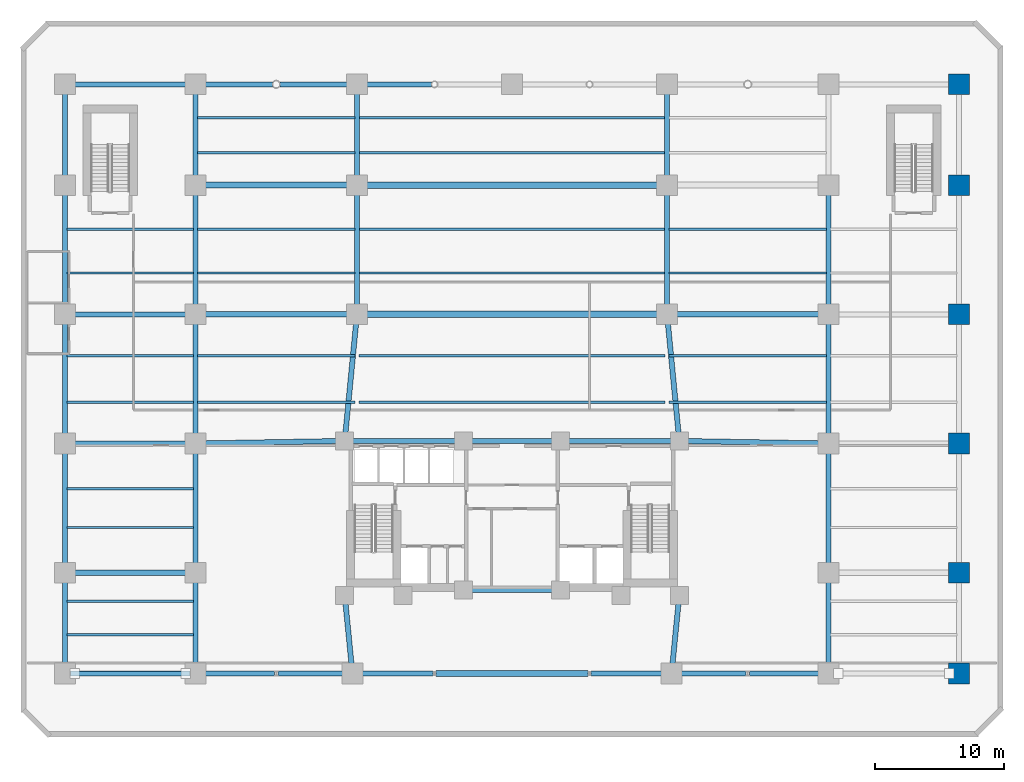
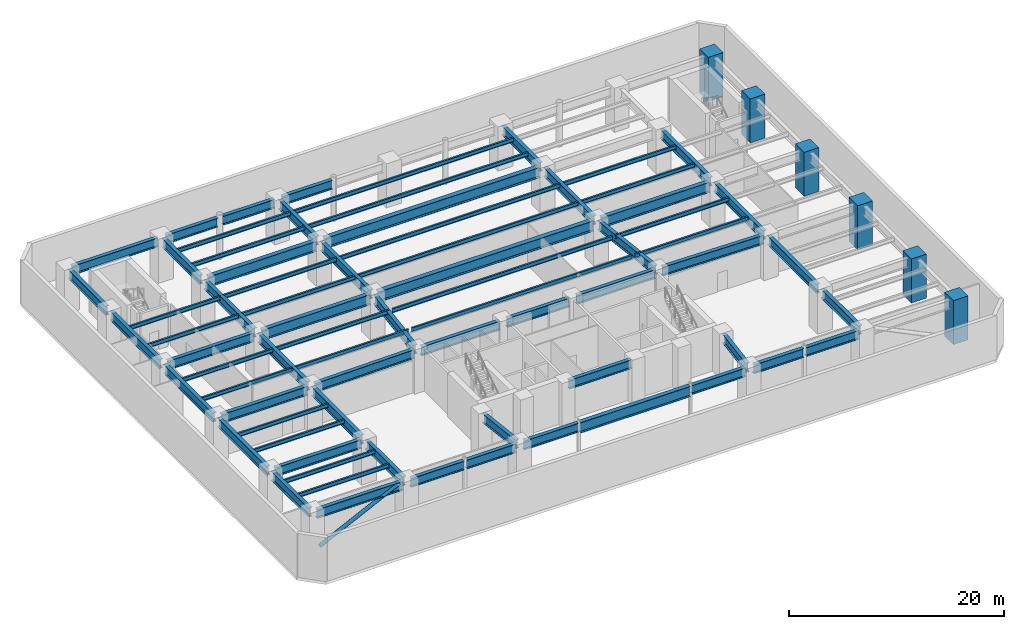
# One storey, part 4 of 12: 72 beams, 6 columns, 1 member.
"""IFC4 building model written with IfcOpenShell, lengths in metres."""

from ifc_helpers import new_model, si_unit, direction, frame, origin, origin_2d, place, context, subcontext, project, spatial, rectangle, hollow_circle, i_section, extrude, material, material_profile, profile_set, type_object, element, save


model = new_model("IFC4")

# Units and contexts
model_context = context("Model", 3, precision=1e-05, world=origin(), true_north=direction((0.0, 1.0)))
body_context = subcontext(model_context, "Body", "Model", "MODEL_VIEW")
ifc_project = project(units=[si_unit("LENGTHUNIT", "METRE"), si_unit("AREAUNIT", "SQUARE_METRE"), si_unit("VOLUMEUNIT", "CUBIC_METRE"), si_unit("PLANEANGLEUNIT", "RADIAN"), si_unit("MASSUNIT", "GRAM", prefix="KILO")], contexts=[model_context])

# Site, building, storey
site_placement = place(None, origin())
site = spatial("IfcSite", under=ifc_project, at=site_placement, CompositionType="ELEMENT")
building_placement = place(site_placement, origin())
building = spatial("IfcBuilding", under=site, at=building_placement, Name="Quenlor Broadcast Tower", CompositionType="ELEMENT")
storey_placement = place(building_placement, frame((0.0, 0.0, -5.0)))
storey = spatial("IfcBuildingStorey", under=building, at=storey_placement, Name="B01", CompositionType="ELEMENT", Elevation=-5.0)

# Columns
ifc_material_1 = material(Name="Concrete C65/80", Category="concrete")
ifc_material_profile_1 = material_profile(ifc_material_1, rectangle(XDim=1.60009765625, YDim=1.60009765625, at=origin_2d()))
ifc_profile_set_1 = profile_set([ifc_material_profile_1], Name="Concrete C65/80 RC1600x1600")
column_type = type_object("IfcColumnType", Name="Podium Mega Column Concrete C65/80 1600", PredefinedType="COLUMN", material=ifc_profile_set_1)
for number, where, z_axis, x_axis, name in (
    (1, (34.60009765625, -22.800048828125, 0.0), (0.0, 0.0, 1.0), (1.0, 0.0, 0.0), "B01 Podium Mega Column PM6"),
    (2, (34.60009765625, -15.0, 0.0), (0.0, 0.0, 1.0), (1.0, 0.0, 0.0), "B01 Podium Mega Column PM10"),
    (3, (34.60009765625, -5.0, 0.0), (0.0, 0.0, 1.0), (1.0, 0.0, 0.0), "B01 Podium Mega Column PM14"),
    (4, (34.60009765625, 5.0, 0.0), (0.0, 0.0, 1.0), (1.0, 0.0, 0.0), "B01 Podium Mega Column PM20"),
    (5, (34.60009765625, 15.0, 0.0), (0.0, 0.0, 1.0), (1.0, 0.0, 0.0), "B01 Podium Mega Column PM26"),
    (6, (34.60009765625, 22.800048828125, 0.0), (0.0, 0.0, 1.0), (1.0, 0.0, 0.0), "B01 Podium Mega Column PM33"),
):
    element("IfcColumn", number, at=place(storey_placement, frame(where, z_axis=z_axis, x_axis=x_axis)), inside=storey, type_object=column_type, Name=name, PredefinedType="COLUMN", context=body_context, shape_type="SweptSolid", body=[
        extrude(rectangle(XDim=1.60009765625, YDim=1.60009765625, at=origin_2d()), origin(), (0.0, 0.0, 1.0), 5.0),
    ])

# Member
ifc_material_2 = material(Name="Steel S355", Category="steel")
ifc_material_profile_2 = material_profile(ifc_material_2, hollow_circle(Radius=0.203125, WallThickness=0.01611328125, at=origin_2d()))
ifc_profile_set_2 = profile_set([ifc_material_profile_2], Name="Steel S355 CHS406x16")
member_type = type_object("IfcMemberType", Name="Basement Lateral Brace Steel S355 CHS406", PredefinedType="BRACE", material=ifc_profile_set_2)
member_placement = place(storey_placement, frame((-33.840087890625, -22.800048828125, 0.35009765625), z_axis=(0.899406983331, 0.0, 0.437112203371), x_axis=(0.0, 1.0, 0.0)))
element("IfcMember", 7, at=member_placement, inside=storey, type_object=member_type, Name="B01 Basement Lateral Brace PM1", PredefinedType="BRACE", context=body_context, shape_type="SweptSolid", body=[
    extrude(hollow_circle(Radius=0.203125, WallThickness=0.01611328125, at=origin_2d()), origin(), (0.0, 0.0, 1.0), 9.539794921875),
])

# Beams
ifc_material_3 = material(Name="Steel S355", Category="steel")
ifc_material_profile_3 = material_profile(ifc_material_3, i_section(OverallWidth=0.39990234375, OverallDepth=1.02392578125, WebThickness=0.01611328125, FlangeThickness=0.031982421875, FilletRadius=0.01611328125, at=origin_2d()))
ifc_profile_set_3 = profile_set([ifc_material_profile_3], Name="Steel S355 1000WB322")
beam_type_1 = type_object("IfcBeamType", Name="Podium Concourse Girder Steel S355 1000WB322", PredefinedType="BEAM", material=ifc_profile_set_3)
beam_1_placement = place(storey_placement, frame((-34.179931640625, -22.800048828125, 4.18798828125), z_axis=(1.0, 0.0, 0.0), x_axis=(0.0, 1.0, 0.0)))
element("IfcBeam", 8, at=beam_1_placement, inside=storey, type_object=beam_type_1, Name="B01 Podium Girder 1", PredefinedType="BEAM", context=body_context, shape_type="SweptSolid", body=[
    extrude(i_section(OverallWidth=0.39990234375, OverallDepth=1.02392578125, WebThickness=0.01611328125, FlangeThickness=0.031982421875, FilletRadius=0.01611328125, at=origin_2d()), origin(), (0.0, 0.0, 1.0), 9.260009765625),
])
beam_2_placement = place(storey_placement, frame((-24.080078125, -22.800048828125, 4.18798828125), z_axis=(1.0, 0.0, 0.0), x_axis=(0.0, 1.0, 0.0)))
element("IfcBeam", 9, at=beam_2_placement, inside=storey, type_object=beam_type_1, Name="B01 Podium Girder 2", PredefinedType="BEAM", context=body_context, shape_type="SweptSolid", body=[
    extrude(i_section(OverallWidth=0.39990234375, OverallDepth=1.02392578125, WebThickness=0.01611328125, FlangeThickness=0.031982421875, FilletRadius=0.01611328125, at=origin_2d()), origin(), (0.0, 0.0, 1.0), 5.694580078125),
])
beam_3_placement = place(storey_placement, frame((-18.114501953125, -22.800048828125, 4.18798828125), z_axis=(1.0, 0.0, 0.0), x_axis=(0.0, 1.0, 0.0)))
element("IfcBeam", 10, at=beam_3_placement, inside=storey, type_object=beam_type_1, Name="B01 Podium Girder 3", PredefinedType="BEAM", context=body_context, shape_type="SweptSolid", body=[
    extrude(i_section(OverallWidth=0.39990234375, OverallDepth=1.02392578125, WebThickness=0.01611328125, FlangeThickness=0.031982421875, FilletRadius=0.01611328125, at=origin_2d()), origin(), (0.0, 0.0, 1.0), 5.344482421875),
])
for number, where, z_axis, x_axis, name in (
    (11, (-11.929931640625, -22.800048828125, 4.18798828125), (1.0, 0.0, 0.0), (0.0, 1.0, 0.0), "B01 Podium Girder 4"),
    (12, (6.10791015625, -22.800048828125, 4.18798828125), (1.0, 0.0, 0.0), (0.0, 1.0, 0.0), "B01 Podium Girder 6"),
):
    element("IfcBeam", number, at=place(storey_placement, frame(where, z_axis=z_axis, x_axis=x_axis)), inside=storey, type_object=beam_type_1, Name=name, PredefinedType="BEAM", context=body_context, shape_type="SweptSolid", body=[
        extrude(i_section(OverallWidth=0.39990234375, OverallDepth=1.02392578125, WebThickness=0.01611328125, FlangeThickness=0.031982421875, FilletRadius=0.01611328125, at=origin_2d()), origin(), (0.0, 0.0, 1.0), 5.822021484375),
    ])
beam_4_placement = place(storey_placement, frame((12.77001953125, -22.800048828125, 4.18798828125), z_axis=(1.0, 0.0, 0.0), x_axis=(0.0, 1.0, 0.0)))
element("IfcBeam", 13, at=beam_4_placement, inside=storey, type_object=beam_type_1, Name="B01 Podium Girder 7", PredefinedType="BEAM", context=body_context, shape_type="SweptSolid", body=[
    extrude(i_section(OverallWidth=0.39990234375, OverallDepth=1.02392578125, WebThickness=0.01611328125, FlangeThickness=0.031982421875, FilletRadius=0.01611328125, at=origin_2d()), origin(), (0.0, 0.0, 1.0), 5.345458984375),
])
beam_5_placement = place(storey_placement, frame((18.384521484375, -22.800048828125, 4.18798828125), z_axis=(1.0, 0.0, 0.0), x_axis=(0.0, 1.0, 0.0)))
element("IfcBeam", 14, at=beam_5_placement, inside=storey, type_object=beam_type_1, Name="B01 Podium Girder 8", PredefinedType="BEAM", context=body_context, shape_type="SweptSolid", body=[
    extrude(i_section(OverallWidth=0.39990234375, OverallDepth=1.02392578125, WebThickness=0.01611328125, FlangeThickness=0.031982421875, FilletRadius=0.01611328125, at=origin_2d()), origin(), (0.0, 0.0, 1.0), 5.695556640625),
])
for number, where, z_axis, x_axis, name in (
    (15, (-34.179931640625, -15.0, 4.18798828125), (1.0, 0.0, 0.0), (0.0, 1.0, 0.0), "B01 Podium Girder 10"),
    (16, (-34.179931640625, -5.0, 4.18798828125), (1.0, 0.0, 0.0), (0.0, 1.0, 0.0), "B01 Podium Girder 12"),
    (17, (-34.179931640625, 5.0, 4.18798828125), (1.0, 0.0, 0.0), (0.0, 1.0, 0.0), "B01 Podium Girder 14"),
    (18, (-34.179931640625, 22.800048828125, 4.18798828125), (1.0, 0.0, 0.0), (0.0, 1.0, 0.0), "B01 Podium Girder 24"),
):
    element("IfcBeam", number, at=place(storey_placement, frame(where, z_axis=z_axis, x_axis=x_axis)), inside=storey, type_object=beam_type_1, Name=name, PredefinedType="BEAM", context=body_context, shape_type="SweptSolid", body=[
        extrude(i_section(OverallWidth=0.39990234375, OverallDepth=1.02392578125, WebThickness=0.01611328125, FlangeThickness=0.031982421875, FilletRadius=0.01611328125, at=origin_2d()), origin(), (0.0, 0.0, 1.0), 9.260009765625),
    ])
for number, where, z_axis, x_axis, name in (
    (19, (-24.080078125, 22.800048828125, 4.18798828125), (1.0, 0.0, 0.0), (0.0, 1.0, 0.0), "B01 Podium Girder 25"),
    (20, (-17.965087890625, 22.800048828125, 4.18798828125), (1.0, 0.0, 0.0), (0.0, 1.0, 0.0), "B01 Podium Girder 26"),
):
    element("IfcBeam", number, at=place(storey_placement, frame(where, z_axis=z_axis, x_axis=x_axis)), inside=storey, type_object=beam_type_1, Name=name, PredefinedType="BEAM", context=body_context, shape_type="SweptSolid", body=[
        extrude(i_section(OverallWidth=0.39990234375, OverallDepth=1.02392578125, WebThickness=0.01611328125, FlangeThickness=0.031982421875, FilletRadius=0.01611328125, at=origin_2d()), origin(), (0.0, 0.0, 1.0), 5.545166015625),
    ])
beam_6_placement = place(storey_placement, frame((-11.580078125, 22.800048828125, 4.18798828125), z_axis=(1.0, 0.0, 0.0), x_axis=(0.0, 1.0, 0.0)))
element("IfcBeam", 21, at=beam_6_placement, inside=storey, type_object=beam_type_1, Name="B01 Podium Girder 27", PredefinedType="BEAM", context=body_context, shape_type="SweptSolid", body=[
    extrude(i_section(OverallWidth=0.39990234375, OverallDepth=1.02392578125, WebThickness=0.01611328125, FlangeThickness=0.031982421875, FilletRadius=0.01611328125, at=origin_2d()), origin(), (0.0, 0.0, 1.0), 5.34619140625),
])
beam_7_placement = place(storey_placement, frame((-34.60009765625, -22.3798828125, 4.18798828125), z_axis=(0.0, 1.0, 0.0), x_axis=(-1.0, 0.0, 0.0)))
element("IfcBeam", 22, at=beam_7_placement, inside=storey, type_object=beam_type_1, Name="B01 Podium Girder 34", PredefinedType="BEAM", context=body_context, shape_type="SweptSolid", body=[
    extrude(i_section(OverallWidth=0.39990234375, OverallDepth=1.02392578125, WebThickness=0.01611328125, FlangeThickness=0.031982421875, FilletRadius=0.01611328125, at=origin_2d()), origin(), (0.0, 0.0, 1.0), 6.9599609375),
])
for number, where, z_axis, x_axis, name in (
    (23, (-34.60009765625, -14.580078125, 4.18798828125), (0.0, 1.0, 0.0), (-1.0, 0.0, 0.0), "B01 Podium Girder 35"),
    (24, (-34.60009765625, -4.580078125, 4.18798828125), (0.0, 1.0, 0.0), (-1.0, 0.0, 0.0), "B01 Podium Girder 36"),
    (25, (-34.60009765625, 5.419921875, 4.18798828125), (0.0, 1.0, 0.0), (-1.0, 0.0, 0.0), "B01 Podium Girder 37"),
):
    element("IfcBeam", number, at=place(storey_placement, frame(where, z_axis=z_axis, x_axis=x_axis)), inside=storey, type_object=beam_type_1, Name=name, PredefinedType="BEAM", context=body_context, shape_type="SweptSolid", body=[
        extrude(i_section(OverallWidth=0.39990234375, OverallDepth=1.02392578125, WebThickness=0.01611328125, FlangeThickness=0.031982421875, FilletRadius=0.01611328125, at=origin_2d()), origin(), (0.0, 0.0, 1.0), 9.16015625),
    ])
for number, where, z_axis, x_axis, name in (
    (26, (-34.60009765625, 15.419921875, 4.18798828125), (0.0, 1.0, 0.0), (-1.0, 0.0, 0.0), "B01 Podium Girder 38"),
    (27, (-24.5, -22.3798828125, 4.18798828125), (0.0, 1.0, 0.0), (-1.0, 0.0, 0.0), "B01 Podium Girder 39"),
):
    element("IfcBeam", number, at=place(storey_placement, frame(where, z_axis=z_axis, x_axis=x_axis)), inside=storey, type_object=beam_type_1, Name=name, PredefinedType="BEAM", context=body_context, shape_type="SweptSolid", body=[
        extrude(i_section(OverallWidth=0.39990234375, OverallDepth=1.02392578125, WebThickness=0.01611328125, FlangeThickness=0.031982421875, FilletRadius=0.01611328125, at=origin_2d()), origin(), (0.0, 0.0, 1.0), 6.9599609375),
    ])
for number, where, z_axis, x_axis, name in (
    (28, (-24.5, -14.580078125, 4.18798828125), (0.0, 1.0, 0.0), (-1.0, 0.0, 0.0), "B01 Podium Girder 40"),
    (29, (-24.5, -4.580078125, 4.18798828125), (0.0, 1.0, 0.0), (-1.0, 0.0, 0.0), "B01 Podium Girder 41"),
    (30, (-24.5, 5.419921875, 4.18798828125), (0.0, 1.0, 0.0), (-1.0, 0.0, 0.0), "B01 Podium Girder 42"),
):
    element("IfcBeam", number, at=place(storey_placement, frame(where, z_axis=z_axis, x_axis=x_axis)), inside=storey, type_object=beam_type_1, Name=name, PredefinedType="BEAM", context=body_context, shape_type="SweptSolid", body=[
        extrude(i_section(OverallWidth=0.39990234375, OverallDepth=1.02392578125, WebThickness=0.01611328125, FlangeThickness=0.031982421875, FilletRadius=0.01611328125, at=origin_2d()), origin(), (0.0, 0.0, 1.0), 9.16015625),
    ])
for number, where, z_axis, x_axis, name in (
    (31, (-24.5, 15.419921875, 4.18798828125), (0.0, 1.0, 0.0), (-1.0, 0.0, 0.0), "B01 Podium Girder 43"),
    (32, (24.5, -22.3798828125, 4.18798828125), (0.0, 1.0, 0.0), (-1.0, 0.0, 0.0), "B01 Podium Girder 44"),
):
    element("IfcBeam", number, at=place(storey_placement, frame(where, z_axis=z_axis, x_axis=x_axis)), inside=storey, type_object=beam_type_1, Name=name, PredefinedType="BEAM", context=body_context, shape_type="SweptSolid", body=[
        extrude(i_section(OverallWidth=0.39990234375, OverallDepth=1.02392578125, WebThickness=0.01611328125, FlangeThickness=0.031982421875, FilletRadius=0.01611328125, at=origin_2d()), origin(), (0.0, 0.0, 1.0), 6.9599609375),
    ])
for number, where, z_axis, x_axis, name in (
    (33, (24.5, -14.580078125, 4.18798828125), (0.0, 1.0, 0.0), (-1.0, 0.0, 0.0), "B01 Podium Girder 45"),
    (34, (24.5, -4.580078125, 4.18798828125), (0.0, 1.0, 0.0), (-1.0, 0.0, 0.0), "B01 Podium Girder 46"),
    (35, (24.5, 5.419921875, 4.18798828125), (0.0, 1.0, 0.0), (-1.0, 0.0, 0.0), "B01 Podium Girder 47"),
    (36, (-12.0, 5.419921875, 4.18798828125), (0.0, 1.0, 0.0), (-1.0, 0.0, 0.0), "B01 Podium Girder 54"),
):
    element("IfcBeam", number, at=place(storey_placement, frame(where, z_axis=z_axis, x_axis=x_axis)), inside=storey, type_object=beam_type_1, Name=name, PredefinedType="BEAM", context=body_context, shape_type="SweptSolid", body=[
        extrude(i_section(OverallWidth=0.39990234375, OverallDepth=1.02392578125, WebThickness=0.01611328125, FlangeThickness=0.031982421875, FilletRadius=0.01611328125, at=origin_2d()), origin(), (0.0, 0.0, 1.0), 9.16015625),
    ])
beam_8_placement = place(storey_placement, frame((-12.0, 15.419921875, 4.18798828125), z_axis=(0.0, 1.0, 0.0), x_axis=(-1.0, 0.0, 0.0)))
element("IfcBeam", 37, at=beam_8_placement, inside=storey, type_object=beam_type_1, Name="B01 Podium Girder 55", PredefinedType="BEAM", context=body_context, shape_type="SweptSolid", body=[
    extrude(i_section(OverallWidth=0.39990234375, OverallDepth=1.02392578125, WebThickness=0.01611328125, FlangeThickness=0.031982421875, FilletRadius=0.01611328125, at=origin_2d()), origin(), (0.0, 0.0, 1.0), 6.9599609375),
])
beam_9_placement = place(storey_placement, frame((12.0, 5.419921875, 4.18798828125), z_axis=(0.0, 1.0, 0.0), x_axis=(-1.0, 0.0, 0.0)))
element("IfcBeam", 38, at=beam_9_placement, inside=storey, type_object=beam_type_1, Name="B01 Podium Girder 56", PredefinedType="BEAM", context=body_context, shape_type="SweptSolid", body=[
    extrude(i_section(OverallWidth=0.39990234375, OverallDepth=1.02392578125, WebThickness=0.01611328125, FlangeThickness=0.031982421875, FilletRadius=0.01611328125, at=origin_2d()), origin(), (0.0, 0.0, 1.0), 9.16015625),
])
beam_10_placement = place(storey_placement, frame((12.0, 15.419921875, 4.18798828125), z_axis=(0.0, 1.0, 0.0), x_axis=(-1.0, 0.0, 0.0)))
element("IfcBeam", 39, at=beam_10_placement, inside=storey, type_object=beam_type_1, Name="B01 Podium Girder 57", PredefinedType="BEAM", context=body_context, shape_type="SweptSolid", body=[
    extrude(i_section(OverallWidth=0.39990234375, OverallDepth=1.02392578125, WebThickness=0.01611328125, FlangeThickness=0.031982421875, FilletRadius=0.01611328125, at=origin_2d()), origin(), (0.0, 0.0, 1.0), 6.9599609375),
])
for number, where, z_axis, x_axis, name in (
    (40, (-12.913330078125, -4.421875, 4.18798828125), (0.096489068192, 0.995334044288, 0.0), (-0.995334044288, 0.096489068192, 0.0), "B01 Podium Concourse Girder 1"),
    (41, (12.913330078125, -4.421875, 4.18798828125), (-0.096489068192, 0.995334044288, 0.0), (-0.995334044288, -0.096489068192, 0.0), "B01 Podium Concourse Girder 2"),
):
    element("IfcBeam", number, at=place(storey_placement, frame(where, z_axis=z_axis, x_axis=x_axis)), inside=storey, type_object=beam_type_1, Name=name, PredefinedType="BEAM", context=body_context, shape_type="SweptSolid", body=[
        extrude(i_section(OverallWidth=0.39990234375, OverallDepth=1.02392578125, WebThickness=0.01611328125, FlangeThickness=0.031982421875, FilletRadius=0.01611328125, at=origin_2d()), origin(), (0.0, 0.0, 1.0), 9.086181640625),
    ])
for number, where, z_axis, x_axis, name in (
    (42, (-12.91259765625, -17.128173828125, 4.18798828125), (0.098717586069, -0.995115489881, 0.0), (0.995115489881, 0.098717586069, 0.0), "B01 Podium Concourse Girder 3"),
    (43, (12.91259765625, -17.128173828125, 4.18798828125), (-0.098717586069, -0.995115489881, 0.0), (0.995115489881, -0.098717586069, 0.0), "B01 Podium Concourse Girder 4"),
):
    element("IfcBeam", number, at=place(storey_placement, frame(where, z_axis=z_axis, x_axis=x_axis)), inside=storey, type_object=beam_type_1, Name=name, PredefinedType="BEAM", context=body_context, shape_type="SweptSolid", body=[
        extrude(i_section(OverallWidth=0.39990234375, OverallDepth=1.02392578125, WebThickness=0.01611328125, FlangeThickness=0.031982421875, FilletRadius=0.01611328125, at=origin_2d()), origin(), (0.0, 0.0, 1.0), 5.319580078125),
    ])
for number, where, z_axis, x_axis, name in (
    (44, (-13.329833984375, -4.806640625, 4.18798828125), (-0.999850235211, -0.017306274859, 0.0), (0.017306274859, -0.999850235211, 0.0), "B01 Podium Concourse Girder 5"),
    (45, (13.329833984375, -4.806640625, 4.18798828125), (0.999850235211, -0.017306274859, 0.0), (0.017306274859, 0.999850235211, 0.0), "B01 Podium Concourse Girder 6"),
):
    element("IfcBeam", number, at=place(storey_placement, frame(where, z_axis=z_axis, x_axis=x_axis)), inside=storey, type_object=beam_type_1, Name=name, PredefinedType="BEAM", context=body_context, shape_type="SweptSolid", body=[
        extrude(i_section(OverallWidth=0.39990234375, OverallDepth=1.02392578125, WebThickness=0.01611328125, FlangeThickness=0.031982421875, FilletRadius=0.01611328125, at=origin_2d()), origin(), (0.0, 0.0, 1.0), 10.7919921875),
    ])
for number, where, z_axis, x_axis, name in (
    (46, (-3.3701171875, -4.800048828125, 4.18798828125), (1.0, 0.0, 0.0), (0.0, 1.0, 0.0), "B01 Podium Concourse Girder 7"),
    (47, (-3.3701171875, -16.35009765625, 4.18798828125), (1.0, 0.0, 0.0), (0.0, 1.0, 0.0), "B01 Podium Concourse Girder 8"),
):
    element("IfcBeam", number, at=place(storey_placement, frame(where, z_axis=z_axis, x_axis=x_axis)), inside=storey, type_object=beam_type_1, Name=name, PredefinedType="BEAM", context=body_context, shape_type="SweptSolid", body=[
        extrude(i_section(OverallWidth=0.39990234375, OverallDepth=1.02392578125, WebThickness=0.01611328125, FlangeThickness=0.031982421875, FilletRadius=0.01611328125, at=origin_2d()), origin(), (0.0, 0.0, 1.0), 6.740234375),
    ])
for number, where, z_axis, x_axis, name in (
    (48, (-12.570068359375, -4.800048828125, 4.18798828125), (1.0, 0.0, 0.0), (0.0, 1.0, 0.0), "B01 Podium Concourse Girder 9"),
    (49, (4.1298828125, -4.800048828125, 4.18798828125), (1.0, 0.0, 0.0), (0.0, 1.0, 0.0), "B01 Podium Concourse Girder 10"),
):
    element("IfcBeam", number, at=place(storey_placement, frame(where, z_axis=z_axis, x_axis=x_axis)), inside=storey, type_object=beam_type_1, Name=name, PredefinedType="BEAM", context=body_context, shape_type="SweptSolid", body=[
        extrude(i_section(OverallWidth=0.39990234375, OverallDepth=1.02392578125, WebThickness=0.01611328125, FlangeThickness=0.031982421875, FilletRadius=0.01611328125, at=origin_2d()), origin(), (0.0, 0.0, 1.0), 8.440185546875),
    ])
ifc_material_4 = material(Name="Steel S355", Category="steel")
ifc_material_profile_4 = material_profile(ifc_material_4, i_section(OverallWidth=0.18994140625, OverallDepth=0.453857421875, WebThickness=0.008544921875, FlangeThickness=0.0126953125, FilletRadius=0.011474609375, at=origin_2d()))
ifc_profile_set_4 = profile_set([ifc_material_profile_4], Name="Steel S355 460UB67.1")
beam_type_2 = type_object("IfcBeamType", Name="Podium Floor Joist Steel S355 460UB67.1", PredefinedType="JOIST", material=ifc_profile_set_4)
beam_11_placement = place(storey_placement, frame((-34.43994140625, 8.199951171875, 4.47314453125), z_axis=(1.0, 0.0, 0.0), x_axis=(0.0, 1.0, 0.0)))
element("IfcBeam", 50, at=beam_11_placement, inside=storey, type_object=beam_type_2, Name="B01 Podium Floor Joist 1", PredefinedType="JOIST", context=body_context, shape_type="SweptSolid", body=[
    extrude(i_section(OverallWidth=0.18994140625, OverallDepth=0.453857421875, WebThickness=0.008544921875, FlangeThickness=0.0126953125, FilletRadius=0.011474609375, at=origin_2d()), origin(), (0.0, 0.0, 1.0), 9.780029296875),
])
beam_12_placement = place(storey_placement, frame((-24.340087890625, 8.199951171875, 4.47314453125), z_axis=(1.0, 0.0, 0.0), x_axis=(0.0, 1.0, 0.0)))
element("IfcBeam", 51, at=beam_12_placement, inside=storey, type_object=beam_type_2, Name="B01 Podium Floor Joist 2", PredefinedType="JOIST", context=body_context, shape_type="SweptSolid", body=[
    extrude(i_section(OverallWidth=0.18994140625, OverallDepth=0.453857421875, WebThickness=0.008544921875, FlangeThickness=0.0126953125, FilletRadius=0.011474609375, at=origin_2d()), origin(), (0.0, 0.0, 1.0), 12.18017578125),
])
beam_13_placement = place(storey_placement, frame((-11.840087890625, 8.199951171875, 4.47314453125), z_axis=(1.0, 0.0, 0.0), x_axis=(0.0, 1.0, 0.0)))
element("IfcBeam", 52, at=beam_13_placement, inside=storey, type_object=beam_type_2, Name="B01 Podium Floor Joist 3", PredefinedType="JOIST", context=body_context, shape_type="SweptSolid", body=[
    extrude(i_section(OverallWidth=0.18994140625, OverallDepth=0.453857421875, WebThickness=0.008544921875, FlangeThickness=0.0126953125, FilletRadius=0.011474609375, at=origin_2d()), origin(), (0.0, 0.0, 1.0), 23.68017578125),
])
beam_14_placement = place(storey_placement, frame((12.159912109375, 8.199951171875, 4.47314453125), z_axis=(1.0, 0.0, 0.0), x_axis=(0.0, 1.0, 0.0)))
element("IfcBeam", 53, at=beam_14_placement, inside=storey, type_object=beam_type_2, Name="B01 Podium Floor Joist 4", PredefinedType="JOIST", context=body_context, shape_type="SweptSolid", body=[
    extrude(i_section(OverallWidth=0.18994140625, OverallDepth=0.453857421875, WebThickness=0.008544921875, FlangeThickness=0.0126953125, FilletRadius=0.011474609375, at=origin_2d()), origin(), (0.0, 0.0, 1.0), 12.18017578125),
])
beam_15_placement = place(storey_placement, frame((-34.43994140625, 11.60009765625, 4.47314453125), z_axis=(1.0, 0.0, 0.0), x_axis=(0.0, 1.0, 0.0)))
element("IfcBeam", 54, at=beam_15_placement, inside=storey, type_object=beam_type_2, Name="B01 Podium Floor Joist 6", PredefinedType="JOIST", context=body_context, shape_type="SweptSolid", body=[
    extrude(i_section(OverallWidth=0.18994140625, OverallDepth=0.453857421875, WebThickness=0.008544921875, FlangeThickness=0.0126953125, FilletRadius=0.011474609375, at=origin_2d()), origin(), (0.0, 0.0, 1.0), 9.780029296875),
])
beam_16_placement = place(storey_placement, frame((-24.340087890625, 11.60009765625, 4.47314453125), z_axis=(1.0, 0.0, 0.0), x_axis=(0.0, 1.0, 0.0)))
element("IfcBeam", 55, at=beam_16_placement, inside=storey, type_object=beam_type_2, Name="B01 Podium Floor Joist 7", PredefinedType="JOIST", context=body_context, shape_type="SweptSolid", body=[
    extrude(i_section(OverallWidth=0.18994140625, OverallDepth=0.453857421875, WebThickness=0.008544921875, FlangeThickness=0.0126953125, FilletRadius=0.011474609375, at=origin_2d()), origin(), (0.0, 0.0, 1.0), 12.18017578125),
])
beam_17_placement = place(storey_placement, frame((-11.840087890625, 11.60009765625, 4.47314453125), z_axis=(1.0, 0.0, 0.0), x_axis=(0.0, 1.0, 0.0)))
element("IfcBeam", 56, at=beam_17_placement, inside=storey, type_object=beam_type_2, Name="B01 Podium Floor Joist 8", PredefinedType="JOIST", context=body_context, shape_type="SweptSolid", body=[
    extrude(i_section(OverallWidth=0.18994140625, OverallDepth=0.453857421875, WebThickness=0.008544921875, FlangeThickness=0.0126953125, FilletRadius=0.011474609375, at=origin_2d()), origin(), (0.0, 0.0, 1.0), 23.68017578125),
])
for number, where, z_axis, x_axis, name in (
    (57, (12.159912109375, 11.60009765625, 4.47314453125), (1.0, 0.0, 0.0), (0.0, 1.0, 0.0), "B01 Podium Floor Joist 9"),
    (58, (-24.340087890625, 17.5, 4.47314453125), (1.0, 0.0, 0.0), (0.0, 1.0, 0.0), "B01 Podium Floor Joist 12"),
):
    element("IfcBeam", number, at=place(storey_placement, frame(where, z_axis=z_axis, x_axis=x_axis)), inside=storey, type_object=beam_type_2, Name=name, PredefinedType="JOIST", context=body_context, shape_type="SweptSolid", body=[
        extrude(i_section(OverallWidth=0.18994140625, OverallDepth=0.453857421875, WebThickness=0.008544921875, FlangeThickness=0.0126953125, FilletRadius=0.011474609375, at=origin_2d()), origin(), (0.0, 0.0, 1.0), 12.18017578125),
    ])
beam_18_placement = place(storey_placement, frame((-11.840087890625, 17.5, 4.47314453125), z_axis=(1.0, 0.0, 0.0), x_axis=(0.0, 1.0, 0.0)))
element("IfcBeam", 59, at=beam_18_placement, inside=storey, type_object=beam_type_2, Name="B01 Podium Floor Joist 13", PredefinedType="JOIST", context=body_context, shape_type="SweptSolid", body=[
    extrude(i_section(OverallWidth=0.18994140625, OverallDepth=0.453857421875, WebThickness=0.008544921875, FlangeThickness=0.0126953125, FilletRadius=0.011474609375, at=origin_2d()), origin(), (0.0, 0.0, 1.0), 23.68017578125),
])
beam_19_placement = place(storey_placement, frame((-24.340087890625, 20.199951171875, 4.47314453125), z_axis=(1.0, 0.0, 0.0), x_axis=(0.0, 1.0, 0.0)))
element("IfcBeam", 60, at=beam_19_placement, inside=storey, type_object=beam_type_2, Name="B01 Podium Floor Joist 17", PredefinedType="JOIST", context=body_context, shape_type="SweptSolid", body=[
    extrude(i_section(OverallWidth=0.18994140625, OverallDepth=0.453857421875, WebThickness=0.008544921875, FlangeThickness=0.0126953125, FilletRadius=0.011474609375, at=origin_2d()), origin(), (0.0, 0.0, 1.0), 12.18017578125),
])
beam_20_placement = place(storey_placement, frame((-11.840087890625, 20.199951171875, 4.47314453125), z_axis=(1.0, 0.0, 0.0), x_axis=(0.0, 1.0, 0.0)))
element("IfcBeam", 61, at=beam_20_placement, inside=storey, type_object=beam_type_2, Name="B01 Podium Floor Joist 18", PredefinedType="JOIST", context=body_context, shape_type="SweptSolid", body=[
    extrude(i_section(OverallWidth=0.18994140625, OverallDepth=0.453857421875, WebThickness=0.008544921875, FlangeThickness=0.0126953125, FilletRadius=0.011474609375, at=origin_2d()), origin(), (0.0, 0.0, 1.0), 23.68017578125),
])
for number, where, z_axis, x_axis, name in (
    (62, (-34.43994140625, -19.800048828125, 4.47314453125), (1.0, 0.0, 0.0), (0.0, 1.0, 0.0), "B01 Podium Floor Joist 21"),
    (63, (-34.43994140625, -17.199951171875, 4.47314453125), (1.0, 0.0, 0.0), (0.0, 1.0, 0.0), "B01 Podium Floor Joist 23"),
    (64, (-34.43994140625, -11.5, 4.47314453125), (1.0, 0.0, 0.0), (0.0, 1.0, 0.0), "B01 Podium Floor Joist 25"),
    (65, (-34.43994140625, -8.5, 4.47314453125), (1.0, 0.0, 0.0), (0.0, 1.0, 0.0), "B01 Podium Floor Joist 27"),
    (66, (-34.43994140625, -1.800048828125, 4.47314453125), (1.0, 0.0, 0.0), (0.0, 1.0, 0.0), "B01 Podium Floor Joist 29"),
    (67, (-34.43994140625, 1.800048828125, 4.47314453125), (1.0, 0.0, 0.0), (0.0, 1.0, 0.0), "B01 Podium Floor Joist 31"),
):
    element("IfcBeam", number, at=place(storey_placement, frame(where, z_axis=z_axis, x_axis=x_axis)), inside=storey, type_object=beam_type_2, Name=name, PredefinedType="JOIST", context=body_context, shape_type="SweptSolid", body=[
        extrude(i_section(OverallWidth=0.18994140625, OverallDepth=0.453857421875, WebThickness=0.008544921875, FlangeThickness=0.0126953125, FilletRadius=0.011474609375, at=origin_2d()), origin(), (0.0, 0.0, 1.0), 9.780029296875),
    ])
beam_21_placement = place(storey_placement, frame((-24.340087890625, -1.800048828125, 4.47314453125), z_axis=(1.0, 0.0, 0.0), x_axis=(0.0, 1.0, 0.0)))
element("IfcBeam", 68, at=beam_21_placement, inside=storey, type_object=beam_type_2, Name="B01 Podium Floor Joist 33", PredefinedType="JOIST", context=body_context, shape_type="SweptSolid", body=[
    extrude(i_section(OverallWidth=0.18994140625, OverallDepth=0.453857421875, WebThickness=0.008544921875, FlangeThickness=0.0126953125, FilletRadius=0.011474609375, at=origin_2d()), origin(), (0.0, 0.0, 1.0), 12.18017578125),
])
beam_22_placement = place(storey_placement, frame((-11.840087890625, -1.800048828125, 4.47314453125), z_axis=(1.0, 0.0, 0.0), x_axis=(0.0, 1.0, 0.0)))
element("IfcBeam", 69, at=beam_22_placement, inside=storey, type_object=beam_type_2, Name="B01 Podium Floor Joist 34", PredefinedType="JOIST", context=body_context, shape_type="SweptSolid", body=[
    extrude(i_section(OverallWidth=0.18994140625, OverallDepth=0.453857421875, WebThickness=0.008544921875, FlangeThickness=0.0126953125, FilletRadius=0.011474609375, at=origin_2d()), origin(), (0.0, 0.0, 1.0), 23.68017578125),
])
for number, where, z_axis, x_axis, name in (
    (70, (12.159912109375, -1.800048828125, 4.47314453125), (1.0, 0.0, 0.0), (0.0, 1.0, 0.0), "B01 Podium Floor Joist 35"),
    (71, (-24.340087890625, 1.800048828125, 4.47314453125), (1.0, 0.0, 0.0), (0.0, 1.0, 0.0), "B01 Podium Floor Joist 36"),
):
    element("IfcBeam", number, at=place(storey_placement, frame(where, z_axis=z_axis, x_axis=x_axis)), inside=storey, type_object=beam_type_2, Name=name, PredefinedType="JOIST", context=body_context, shape_type="SweptSolid", body=[
        extrude(i_section(OverallWidth=0.18994140625, OverallDepth=0.453857421875, WebThickness=0.008544921875, FlangeThickness=0.0126953125, FilletRadius=0.011474609375, at=origin_2d()), origin(), (0.0, 0.0, 1.0), 12.18017578125),
    ])
beam_23_placement = place(storey_placement, frame((-11.840087890625, 1.800048828125, 4.47314453125), z_axis=(1.0, 0.0, 0.0), x_axis=(0.0, 1.0, 0.0)))
element("IfcBeam", 72, at=beam_23_placement, inside=storey, type_object=beam_type_2, Name="B01 Podium Floor Joist 37", PredefinedType="JOIST", context=body_context, shape_type="SweptSolid", body=[
    extrude(i_section(OverallWidth=0.18994140625, OverallDepth=0.453857421875, WebThickness=0.008544921875, FlangeThickness=0.0126953125, FilletRadius=0.011474609375, at=origin_2d()), origin(), (0.0, 0.0, 1.0), 23.68017578125),
])
beam_24_placement = place(storey_placement, frame((12.159912109375, 1.800048828125, 4.47314453125), z_axis=(1.0, 0.0, 0.0), x_axis=(0.0, 1.0, 0.0)))
element("IfcBeam", 73, at=beam_24_placement, inside=storey, type_object=beam_type_2, Name="B01 Podium Floor Joist 38", PredefinedType="JOIST", context=body_context, shape_type="SweptSolid", body=[
    extrude(i_section(OverallWidth=0.18994140625, OverallDepth=0.453857421875, WebThickness=0.008544921875, FlangeThickness=0.0126953125, FilletRadius=0.011474609375, at=origin_2d()), origin(), (0.0, 0.0, 1.0), 12.18017578125),
])
ifc_material_5 = material(Name="Steel S355", Category="steel")
ifc_material_profile_5 = material_profile(ifc_material_5, i_section(OverallWidth=0.5, OverallDepth=1.199951171875, WebThickness=0.02001953125, FlangeThickness=0.035888671875, FilletRadius=0.01611328125, at=origin_2d()))
ifc_profile_set_5 = profile_set([ifc_material_profile_5], Name="Steel S355 1200WB455")
beam_type_3 = type_object("IfcBeamType", Name="Podium Long Span Studio Girder Steel S355 1200WB455", PredefinedType="BEAM", material=ifc_profile_set_5)
for number, where, z_axis, x_axis, name in (
    (74, (-11.580078125, 5.0, 4.10009765625), (1.0, 0.0, 0.0), (0.0, 1.0, 0.0), "B01 Podium Girder 16"),
    (75, (-11.580078125, 15.0, 4.10009765625), (1.0, 0.0, 0.0), (0.0, 1.0, 0.0), "B01 Podium Girder 21"),
):
    element("IfcBeam", number, at=place(storey_placement, frame(where, z_axis=z_axis, x_axis=x_axis)), inside=storey, type_object=beam_type_3, Name=name, PredefinedType="BEAM", context=body_context, shape_type="SweptSolid", body=[
        extrude(i_section(OverallWidth=0.5, OverallDepth=1.199951171875, WebThickness=0.02001953125, FlangeThickness=0.035888671875, FilletRadius=0.01611328125, at=origin_2d()), origin(), (0.0, 0.0, 1.0), 23.16015625),
    ])
ifc_material_6 = material(Name="Steel S355", Category="steel")
ifc_material_profile_6 = material_profile(ifc_material_6, i_section(OverallWidth=0.449951171875, OverallDepth=1.18798828125, WebThickness=0.01806640625, FlangeThickness=0.031982421875, FilletRadius=0.01611328125, at=origin_2d()))
ifc_profile_set_6 = profile_set([ifc_material_profile_6], Name="Steel S355 1200WB392")
beam_type_4 = type_object("IfcBeamType", Name="Podium Secondary Studio Girder Steel S355 1200WB392", PredefinedType="BEAM", material=ifc_profile_set_6)
beam_25_placement = place(storey_placement, frame((-5.89208984375, -22.800048828125, 4.10595703125), z_axis=(1.0, 0.0, 0.0), x_axis=(0.0, 1.0, 0.0)))
element("IfcBeam", 76, at=beam_25_placement, inside=storey, type_object=beam_type_4, Name="B01 Podium Girder 5", PredefinedType="BEAM", context=body_context, shape_type="SweptSolid", body=[
    extrude(i_section(OverallWidth=0.449951171875, OverallDepth=1.18798828125, WebThickness=0.01806640625, FlangeThickness=0.031982421875, FilletRadius=0.01611328125, at=origin_2d()), origin(), (0.0, 0.0, 1.0), 11.7841796875),
])
for number, where, z_axis, x_axis, name in (
    (77, (-24.080078125, 5.0, 4.10595703125), (1.0, 0.0, 0.0), (0.0, 1.0, 0.0), "B01 Podium Girder 15"),
    (78, (12.419921875, 5.0, 4.10595703125), (1.0, 0.0, 0.0), (0.0, 1.0, 0.0), "B01 Podium Girder 17"),
    (79, (-24.080078125, 15.0, 4.10595703125), (1.0, 0.0, 0.0), (0.0, 1.0, 0.0), "B01 Podium Girder 20"),
):
    element("IfcBeam", number, at=place(storey_placement, frame(where, z_axis=z_axis, x_axis=x_axis)), inside=storey, type_object=beam_type_4, Name=name, PredefinedType="BEAM", context=body_context, shape_type="SweptSolid", body=[
        extrude(i_section(OverallWidth=0.449951171875, OverallDepth=1.18798828125, WebThickness=0.01806640625, FlangeThickness=0.031982421875, FilletRadius=0.01611328125, at=origin_2d()), origin(), (0.0, 0.0, 1.0), 11.66015625),
    ])

save(model, "model.ifc")
